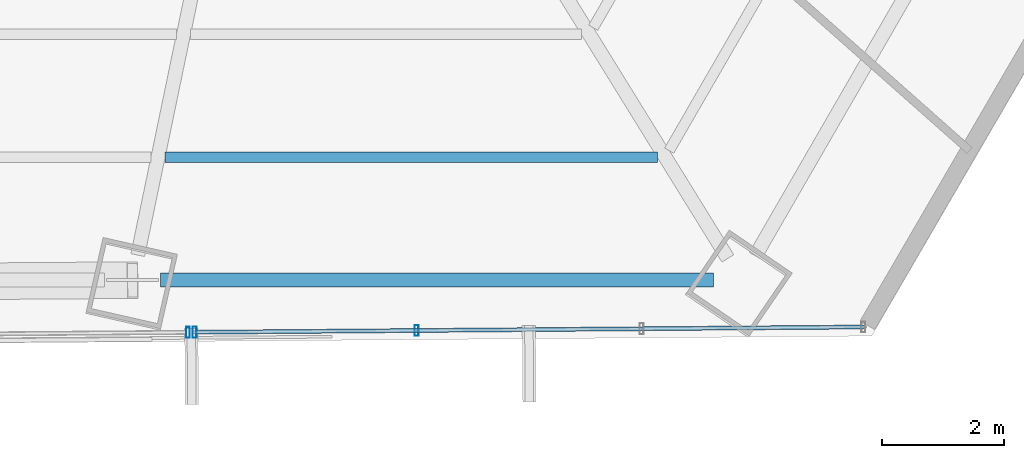
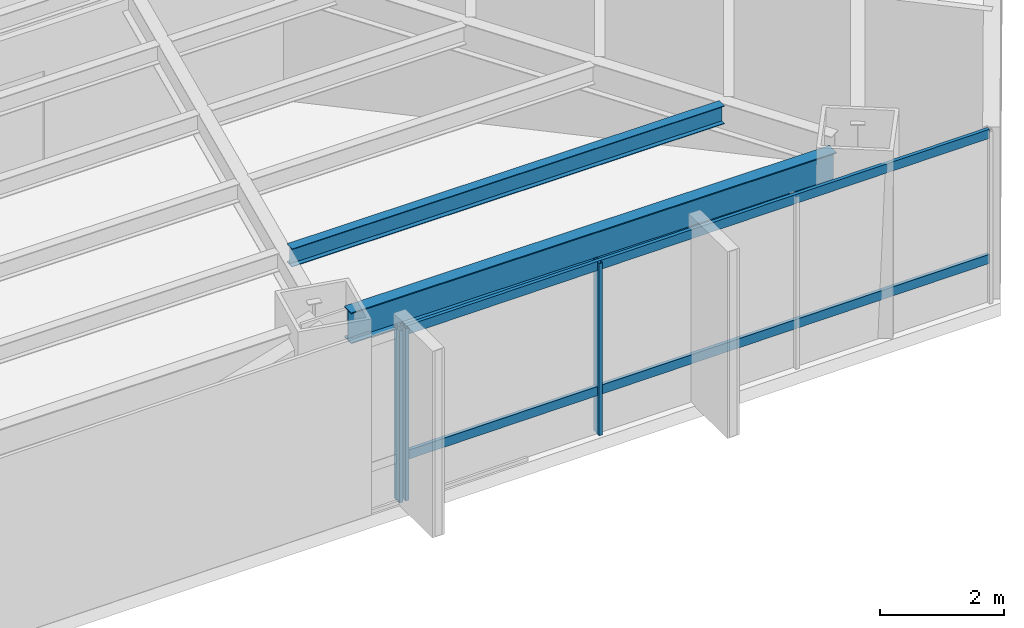
# One storey, part 15 of 34: 5 members, 2 beams, 2 elements without a shape of their own.
"""IFC4 building model written with IfcOpenShell, lengths in metres."""

from ifc_helpers import new_model, si_unit, direction, frame, origin, origin_2d, place, context, subcontext, project, spatial, hollow_rectangle, i_section, extrude, source, transform, mapped, material, material_profile, profile_set, type_object, type_shapes, element, aggregate, save


model = new_model("IFC4")

# Units and contexts
model_context = context("Model", 3, precision=1e-05, world=origin(), true_north=direction((0.0, 1.0)))
body_context = subcontext(model_context, "Body", "Model", "MODEL_VIEW")
ifc_project = project(units=[si_unit("LENGTHUNIT", "METRE"), si_unit("AREAUNIT", "SQUARE_METRE"), si_unit("VOLUMEUNIT", "CUBIC_METRE"), si_unit("PLANEANGLEUNIT", "RADIAN"), si_unit("MASSUNIT", "GRAM", prefix="KILO")], contexts=[model_context])

# Site, building, storey
site_placement = place(None, origin())
site = spatial("IfcSite", under=ifc_project, at=site_placement, CompositionType="ELEMENT")
building_placement = place(site_placement, origin())
building = spatial("IfcBuilding", under=site, at=building_placement, Name="Caelisora Broadcast Tower", CompositionType="ELEMENT")
storey_placement = place(building_placement, frame((0.0, 0.0, 49.5)))
storey = spatial("IfcBuildingStorey", under=building, at=storey_placement, Name="L12", CompositionType="ELEMENT", Elevation=49.5)

# Beams
ifc_material_1 = material(Name="Steel Grade 350 (AS/NZS 3679.1)", Category="steel")
ifc_material_profile_1 = material_profile(ifc_material_1, i_section(OverallWidth=0.22900390625, OverallDepth=0.611572265625, WebThickness=0.011962890625, FlangeThickness=0.01953125, at=origin_2d()), Name="Steel Grade 350 (AS/NZS 3679.1)")
ifc_profile_set_1 = profile_set([ifc_material_profile_1], Name="Steel Grade 350 (AS/NZS 3679.1)")
beam_type_1 = type_object("IfcBeamType", Name="PG03", PredefinedType="BEAM", material=ifc_profile_set_1)
shared_shape_1 = source(origin(), body_context, "Body", "SweptSolid", [
    extrude(i_section(OverallWidth=0.22900390625, OverallDepth=0.611572265625, WebThickness=0.011962890625, FlangeThickness=0.01953125, at=origin_2d()), origin(), (0.0, 0.0, 1.0), 9.064453125),
])
type_shapes(beam_type_1, [shared_shape_1])
beam_1_placement = place(storey_placement, frame((43.4521484375, 5.30615234375, 3.09423828125), z_axis=(1.0, 0.0, 0.0), x_axis=(0.0, 1.0, 0.0)))
element("IfcBeam", 1, at=beam_1_placement, inside=storey, type_object=beam_type_1, Name="L12 beam PG03", PredefinedType="BEAM", context=body_context, shape_type="MappedRepresentation", body=[
    mapped(shared_shape_1, transform((0.0, 0.0, 0.0), scale=1.0)),
])
ifc_material_profile_2 = material_profile(ifc_material_1, i_section(OverallWidth=0.172119140625, OverallDepth=0.358642578125, WebThickness=0.008056640625, FlangeThickness=0.012939453125, at=origin_2d()), Name="Steel Grade 350 (AS/NZS 3679.1)")
ifc_profile_set_2 = profile_set([ifc_material_profile_2], Name="Steel Grade 350 (AS/NZS 3679.1)")
beam_type_2 = type_object("IfcBeamType", Name="SB02", PredefinedType="JOIST", material=ifc_profile_set_2)
shared_shape_2 = source(origin(), body_context, "Body", "SweptSolid", [
    extrude(i_section(OverallWidth=0.172119140625, OverallDepth=0.358642578125, WebThickness=0.008056640625, FlangeThickness=0.012939453125, at=origin_2d()), origin(), (0.0, 0.0, 1.0), 8.07568359375),
])
type_shapes(beam_type_2, [shared_shape_2])
beam_2_placement = place(storey_placement, frame((43.523681640625, 7.32177734375, 3.220703125), z_axis=(1.0, 0.0, 0.0), x_axis=(0.0, 1.0, 0.0)))
element("IfcBeam", 2, at=beam_2_placement, inside=storey, type_object=beam_type_2, Name="L12 beam SB02", PredefinedType="JOIST", context=body_context, shape_type="MappedRepresentation", body=[
    mapped(shared_shape_2, transform((0.0, 0.0, 0.0), scale=1.0)),
])

# Curtain wall, members
ifc_material_2 = material(Name="Unitised Aluminium and Low-E Glass Curtain Wall", Category="glass")
curtain_wall_type_1 = type_object("IfcCurtainWallType", Name="CW-Z1", PredefinedType="NOTDEFINED", material=ifc_material_2)
curtain_wall_1_placement = place(storey_placement, origin())
curtain_wall_1 = element("IfcCurtainWall", 3, at=curtain_wall_1_placement, inside=storey, type_object=curtain_wall_type_1, Name="L12 curtain wall CW-Z1", PredefinedType="NOTDEFINED")
ifc_material_3 = material(Name="Aluminium 6063-T6 Anodised Terracotta Bronze", Category="aluminium")
ifc_material_profile_3 = material_profile(ifc_material_3, hollow_rectangle(XDim=0.06494140625, YDim=0.179931640625, WallThickness=0.00341796875, at=origin_2d()), Name="Aluminium 6063-T6 Anodised Terracotta Bronze")
ifc_profile_set_3 = profile_set([ifc_material_profile_3], Name="Aluminium 6063-T6 Anodised Terracotta Bronze")
member_type_1 = type_object("IfcMemberType", Name="CWM-02", PredefinedType="MULLION", material=ifc_profile_set_3)
shared_shape_3 = source(origin(), body_context, "Body", "SweptSolid", [
    extrude(hollow_rectangle(XDim=0.06494140625, YDim=0.179931640625, WallThickness=0.00341796875, at=origin_2d()), origin(), (0.0, 0.0, 1.0), 3.39990234375),
])
type_shapes(member_type_1, [shared_shape_3])
member_1_placement = place(storey_placement, frame((47.65087890625, 4.47998046875, 0.0), z_axis=(0.0, 0.0, 1.0), x_axis=(1.0, 0.0, 0.0)))
member_1 = element("IfcMember", 4, at=member_1_placement, type_object=member_type_1, Name="L12-CW-B05 mullion #2", PredefinedType="MULLION", context=body_context, shape_type="MappedRepresentation", body=[
    mapped(shared_shape_3, transform((0.0, 0.0, 0.0), scale=1.0)),
])
member_2_placement = place(storey_placement, frame((44.011962890625, 4.451171875, 0.0), z_axis=(0.0, 0.0, 1.0), x_axis=(1.0, 0.0, 0.0)))
member_2 = element("IfcMember", 5, at=member_2_placement, type_object=member_type_1, Name="L12-CW-B05 mullion #3", PredefinedType="MULLION", context=body_context, shape_type="MappedRepresentation", body=[
    mapped(shared_shape_3, transform((0.0, 0.0, 0.0), scale=1.0)),
])

# Curtain wall, member
ifc_material_4 = material(Name="Unitised Aluminium Insulated Shadow-Box Spandrel Curtain Wall", Category="aluminium")
curtain_wall_type_2 = type_object("IfcCurtainWallType", Name="CW-SP1", PredefinedType="NOTDEFINED", material=ifc_material_4)
curtain_wall_2_placement = place(storey_placement, origin())
curtain_wall_2 = element("IfcCurtainWall", 6, at=curtain_wall_2_placement, inside=storey, type_object=curtain_wall_type_2, Name="L12 curtain wall CW-SP1", PredefinedType="NOTDEFINED")
member_3_placement = place(storey_placement, frame((43.902099609375, 4.450439453125, 0.0), z_axis=(0.0, 0.0, 1.0), x_axis=(1.0, 0.0, 0.0)))
member_3 = element("IfcMember", 7, at=member_3_placement, type_object=member_type_1, Name="L12-CW-B06 mullion #0", PredefinedType="MULLION", context=body_context, shape_type="MappedRepresentation", body=[
    mapped(shared_shape_3, transform((0.0, 0.0, 0.0), scale=1.0)),
])
aggregate(curtain_wall_2, [member_3])

# Member
ifc_material_profile_4 = material_profile(ifc_material_3, hollow_rectangle(XDim=0.06494140625, YDim=0.179931640625, WallThickness=0.00341796875, at=origin_2d()), Name="Aluminium 6063-T6 Anodised Terracotta Bronze")
ifc_profile_set_4 = profile_set([ifc_material_profile_4], Name="Aluminium 6063-T6 Anodised Terracotta Bronze")
member_type_2 = type_object("IfcMemberType", Name="CWT-01", PredefinedType="USERDEFINED", material=ifc_profile_set_4)
shared_shape_4 = source(origin(), body_context, "Body", "SweptSolid", [
    extrude(hollow_rectangle(XDim=0.06494140625, YDim=0.179931640625, WallThickness=0.00341796875, at=origin_2d()), origin(), (0.0, 0.0, 1.0), 10.96728515625),
])
type_shapes(member_type_2, [shared_shape_4])
member_4_placement = place(storey_placement, frame((54.97900390625, 4.53759765625, 0.85009765625), z_axis=(-0.999968950296, -0.007880256637, 0.0), x_axis=(0.007880256637, -0.999968950296, 0.0)))
member_4 = element("IfcMember", 8, at=member_4_placement, type_object=member_type_2, Name="L12-CW-B05 transom #1", ObjectType="TRANSOM", PredefinedType="USERDEFINED", context=body_context, shape_type="MappedRepresentation", body=[
    mapped(shared_shape_4, transform((0.0, 0.0, 0.0), scale=1.0)),
])

member_5_placement = place(storey_placement, frame((54.97900390625, 4.53759765625, 3.320068359375), z_axis=(-0.999968950296, -0.007880256637, 0.0), x_axis=(0.007880256637, -0.999968950296, 0.0)))
member_5 = element("IfcMember", 9, at=member_5_placement, type_object=member_type_2, Name="L12-CW-B05 transom #2", ObjectType="TRANSOM", PredefinedType="USERDEFINED", context=body_context, shape_type="MappedRepresentation", body=[
    mapped(shared_shape_4, transform((0.0, 0.0, 0.0), scale=1.0)),
])

aggregate(curtain_wall_1, [member_1, member_2, member_4, member_5])

save(model, "model.ifc")
